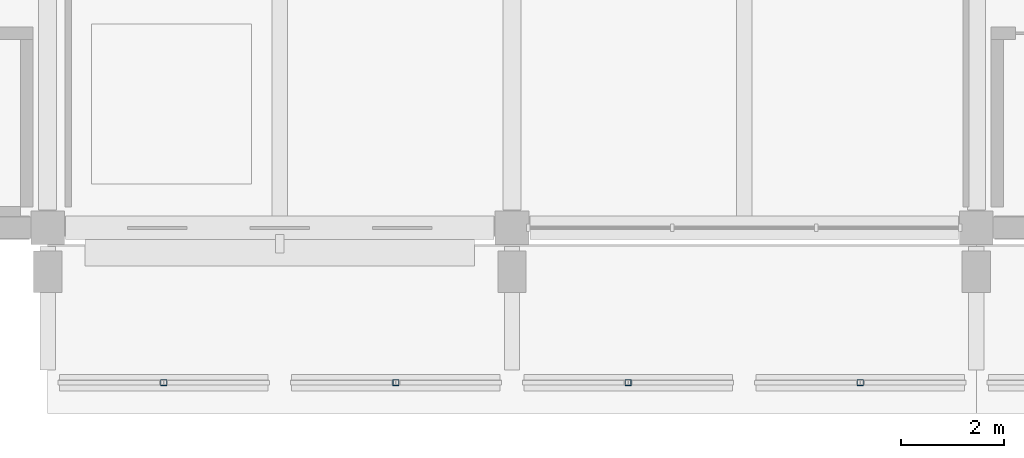
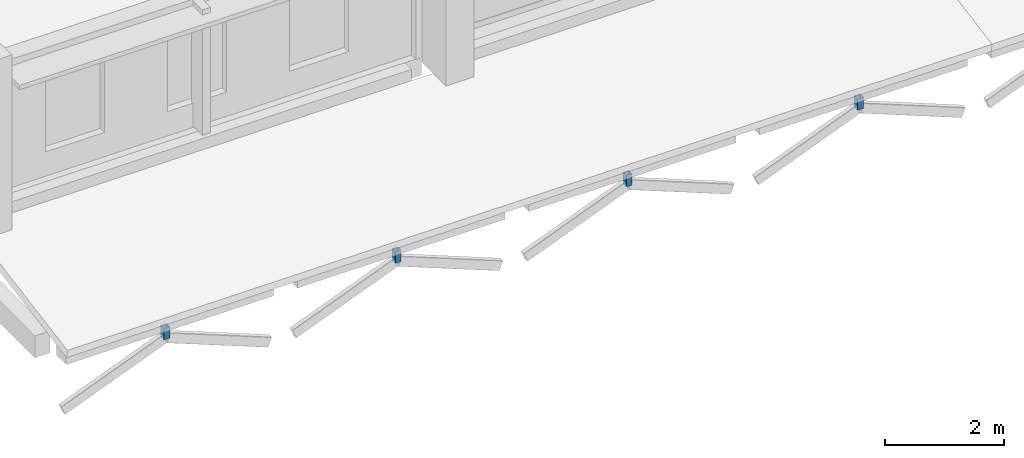
# One storey, part 85 of 132: 4 members.
"""IFC4 building model written with IfcOpenShell, lengths in metres."""

from ifc_helpers import new_model, si_unit, direction, frame, origin, origin_2d, place, context, subcontext, project, spatial, hollow_rectangle, extrude, material, material_profile, profile_set, type_object, element, save


model = new_model("IFC4")

# Units and contexts
model_context = context("Model", 3, precision=1e-05, world=origin(), true_north=direction((0.0, 1.0)))
body_context = subcontext(model_context, "Body", "Model", "MODEL_VIEW")
ifc_project = project(units=[si_unit("LENGTHUNIT", "METRE"), si_unit("AREAUNIT", "SQUARE_METRE"), si_unit("VOLUMEUNIT", "CUBIC_METRE"), si_unit("PLANEANGLEUNIT", "RADIAN"), si_unit("MASSUNIT", "GRAM", prefix="KILO")], contexts=[model_context])

# Site, building, storey
site_placement = place(None, origin())
site = spatial("IfcSite", under=ifc_project, at=site_placement, CompositionType="ELEMENT")
building_placement = place(site_placement, origin())
building = spatial("IfcBuilding", under=site, at=building_placement, Name="Tharagai Park Tramway Depot", CompositionType="ELEMENT")
storey_placement = place(building_placement, frame((0.0, 0.0, 4.800048828125)))
storey = spatial("IfcBuildingStorey", under=building, at=storey_placement, Name="L01", CompositionType="ELEMENT", Elevation=4.800048828125)

# Members
ifc_material = material(Name="Steel E250", Category="steel")
ifc_material_profile = material_profile(ifc_material, hollow_rectangle(XDim=0.1201171875, YDim=0.1201171875, WallThickness=0.0048828125, InnerFilletRadius=0.0048828125, OuterFilletRadius=0.010009765625, at=origin_2d()), Name="SHS 120x120x5")
ifc_profile_set = profile_set([ifc_material_profile], Name="Steel E250")
member_type = type_object("IfcMemberType", Name="BR-08", PredefinedType="BRACE", material=ifc_profile_set)
for number, where, z_axis, x_axis, name in (
    (1, (20.25, -3.0, -1.840087890625), (0.0, 0.0, 1.0), (1.0, 0.0, 0.0), "Pointed Gothic Spandrel Tracery Post BR-08"),
    (2, (24.75, -3.0, -1.840087890625), (0.0, 0.0, 1.0), (1.0, 0.0, 0.0), "Pointed Gothic Spandrel Tracery Post BR-08"),
    (3, (29.25, -3.0, -1.840087890625), (0.0, 0.0, 1.0), (1.0, 0.0, 0.0), "Pointed Gothic Spandrel Tracery Post BR-08"),
    (4, (33.75, -3.0, -1.840087890625), (0.0, 0.0, 1.0), (1.0, 0.0, 0.0), "Pointed Gothic Spandrel Tracery Post BR-08"),
):
    element("IfcMember", number, at=place(storey_placement, frame(where, z_axis=z_axis, x_axis=x_axis)), inside=storey, type_object=member_type, Name=name, PredefinedType="BRACE", context=body_context, shape_type="SweptSolid", body=[
        extrude(hollow_rectangle(XDim=0.1201171875, YDim=0.1201171875, WallThickness=0.0048828125, InnerFilletRadius=0.0048828125, OuterFilletRadius=0.010009765625, at=origin_2d()), origin(), (0.0, 0.0, 1.0), 0.22998046875),
    ])

save(model, "model.ifc")
